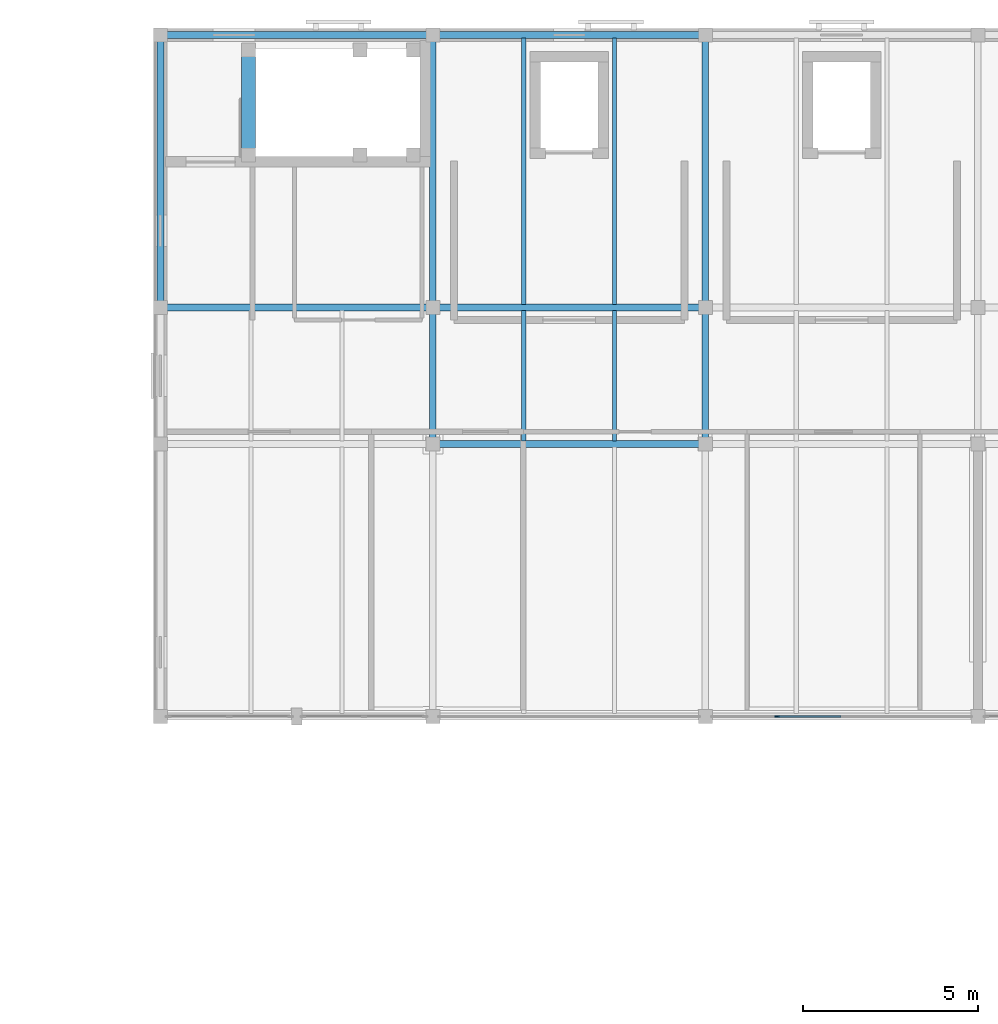
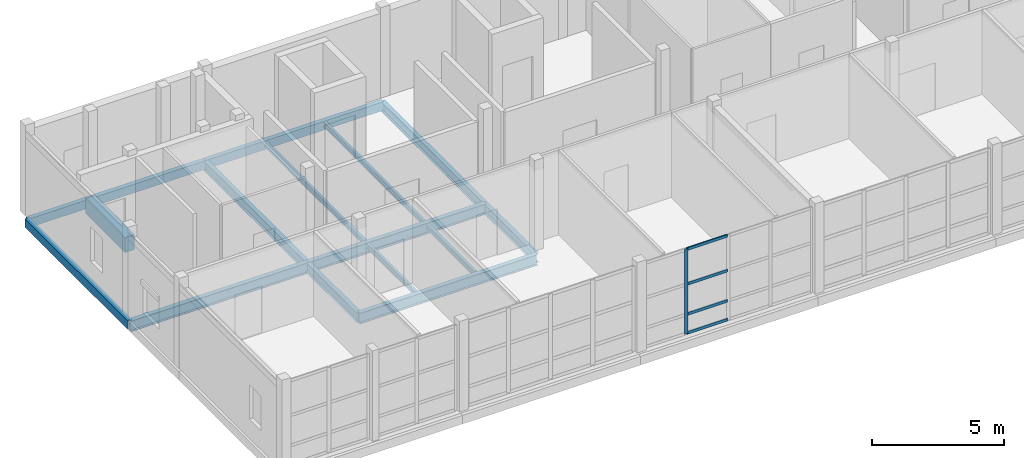
# One storey, part 6 of 21: 15 beams, 5 members, 1 element without a shape of its own.
"""IFC4 building model written with IfcOpenShell, lengths in metres."""

from ifc_helpers import new_model, si_unit, direction, frame, origin, origin_2d, place, context, subcontext, project, spatial, rectangle, hollow_rectangle, i_section, extrude, material, layer, layer_set, material_profile, profile_set, type_object, element, aggregate, save


model = new_model("IFC4")

# Units and contexts
model_context = context("Model", 3, precision=1e-05, world=origin(), true_north=direction((0.0, 1.0)))
body_context = subcontext(model_context, "Body", "Model", "MODEL_VIEW")
ifc_project = project(units=[si_unit("LENGTHUNIT", "METRE"), si_unit("AREAUNIT", "SQUARE_METRE"), si_unit("VOLUMEUNIT", "CUBIC_METRE"), si_unit("PLANEANGLEUNIT", "RADIAN"), si_unit("MASSUNIT", "GRAM", prefix="KILO")], contexts=[model_context])

# Site, building, storey
site_placement = place(None, origin())
site = spatial("IfcSite", under=ifc_project, at=site_placement, CompositionType="ELEMENT")
building_placement = place(site_placement, origin())
building = spatial("IfcBuilding", under=site, at=building_placement, Name="Celorna Specialist Clinic", CompositionType="ELEMENT")
storey_placement = place(building_placement, frame((0.0, 0.0, 23.10009765625)))
storey = spatial("IfcBuildingStorey", under=building, at=storey_placement, Name="L05", CompositionType="ELEMENT", Elevation=23.10009765625)

# Beams
ifc_material_1 = material(Name="Steel S355", Category="steel")
ifc_material_profile_1 = material_profile(ifc_material_1, i_section(OverallWidth=0.199951171875, OverallDepth=0.5, WebThickness=0.01025390625, FlangeThickness=0.01611328125, at=origin_2d()), Name="IPE 500")
ifc_profile_set_1 = profile_set([ifc_material_profile_1], Name="Steel S355")
beam_type_1 = type_object("IfcBeamType", Name="BM-08", PredefinedType="BEAM", material=ifc_profile_set_1)
beam_1_placement = place(storey_placement, frame((54.60009765625, 104.300048828125, -0.530029296875), z_axis=(1.0, 0.0, 0.0), x_axis=(0.0, 1.0, 0.0)))
element("IfcBeam", 1, at=beam_1_placement, inside=storey, type_object=beam_type_1, Name="Primary girder BM-08 #1423", PredefinedType="BEAM", context=body_context, shape_type="SweptSolid", body=[
    extrude(i_section(OverallWidth=0.199951171875, OverallDepth=0.5, WebThickness=0.01025390625, FlangeThickness=0.01611328125, at=origin_2d()), origin(), (0.0, 0.0, 1.0), 7.7998046875),
])
beam_2_placement = place(storey_placement, frame((46.800048828125, 108.199951171875, -0.530029296875), z_axis=(1.0, 0.0, 0.0), x_axis=(0.0, 1.0, 0.0)))
element("IfcBeam", 2, at=beam_2_placement, inside=storey, type_object=beam_type_1, Name="Primary girder BM-08 #1428", PredefinedType="BEAM", context=body_context, shape_type="SweptSolid", body=[
    extrude(i_section(OverallWidth=0.199951171875, OverallDepth=0.5, WebThickness=0.01025390625, FlangeThickness=0.01611328125, at=origin_2d()), origin(), (0.0, 0.0, 1.0), 7.800048828125),
])
beam_3_placement = place(storey_placement, frame((54.60009765625, 108.199951171875, -0.530029296875), z_axis=(1.0, 0.0, 0.0), x_axis=(0.0, 1.0, 0.0)))
element("IfcBeam", 3, at=beam_3_placement, inside=storey, type_object=beam_type_1, Name="Primary girder BM-08 #1429", PredefinedType="BEAM", context=body_context, shape_type="SweptSolid", body=[
    extrude(i_section(OverallWidth=0.199951171875, OverallDepth=0.5, WebThickness=0.01025390625, FlangeThickness=0.01611328125, at=origin_2d()), origin(), (0.0, 0.0, 1.0), 7.7998046875),
])
ifc_material_profile_2 = material_profile(ifc_material_1, i_section(OverallWidth=0.18994140625, OverallDepth=0.449951171875, WebThickness=0.009521484375, FlangeThickness=0.0146484375, at=origin_2d()), Name="IPE 450")
ifc_profile_set_2 = profile_set([ifc_material_profile_2], Name="Steel S355")
beam_type_2 = type_object("IfcBeamType", Name="BM-09", PredefinedType="BEAM", material=ifc_profile_set_2)
beam_4_placement = place(storey_placement, frame((54.60009765625, 104.300048828125, -0.505126953125), z_axis=(0.0, 1.0, 0.0), x_axis=(-1.0, 0.0, 0.0)))
element("IfcBeam", 4, at=beam_4_placement, inside=storey, type_object=beam_type_2, Name="Transverse girder BM-09 #1444", PredefinedType="BEAM", context=body_context, shape_type="SweptSolid", body=[
    extrude(i_section(OverallWidth=0.18994140625, OverallDepth=0.449951171875, WebThickness=0.009521484375, FlangeThickness=0.0146484375, at=origin_2d()), origin(), (0.0, 0.0, 1.0), 3.89990234375),
])
beam_5_placement = place(storey_placement, frame((54.60009765625, 108.199951171875, -0.505126953125), z_axis=(0.0, 1.0, 0.0), x_axis=(-1.0, 0.0, 0.0)))
element("IfcBeam", 5, at=beam_5_placement, inside=storey, type_object=beam_type_2, Name="Transverse girder BM-09 #1445", PredefinedType="BEAM", context=body_context, shape_type="SweptSolid", body=[
    extrude(i_section(OverallWidth=0.18994140625, OverallDepth=0.449951171875, WebThickness=0.009521484375, FlangeThickness=0.0146484375, at=origin_2d()), origin(), (0.0, 0.0, 1.0), 7.800048828125),
])
beam_6_placement = place(storey_placement, frame((62.39990234375, 104.300048828125, -0.505126953125), z_axis=(0.0, 1.0, 0.0), x_axis=(-1.0, 0.0, 0.0)))
element("IfcBeam", 6, at=beam_6_placement, inside=storey, type_object=beam_type_2, Name="Transverse girder BM-09 #1447", PredefinedType="BEAM", context=body_context, shape_type="SweptSolid", body=[
    extrude(i_section(OverallWidth=0.18994140625, OverallDepth=0.449951171875, WebThickness=0.009521484375, FlangeThickness=0.0146484375, at=origin_2d()), origin(), (0.0, 0.0, 1.0), 3.89990234375),
])
beam_7_placement = place(storey_placement, frame((62.39990234375, 108.199951171875, -0.505126953125), z_axis=(0.0, 1.0, 0.0), x_axis=(-1.0, 0.0, 0.0)))
element("IfcBeam", 7, at=beam_7_placement, inside=storey, type_object=beam_type_2, Name="Transverse girder BM-09 #1448", PredefinedType="BEAM", context=body_context, shape_type="SweptSolid", body=[
    extrude(i_section(OverallWidth=0.18994140625, OverallDepth=0.449951171875, WebThickness=0.009521484375, FlangeThickness=0.0146484375, at=origin_2d()), origin(), (0.0, 0.0, 1.0), 7.800048828125),
])
ifc_material_profile_3 = material_profile(ifc_material_1, hollow_rectangle(XDim=0.199951171875, YDim=0.39990234375, WallThickness=0.011962890625, at=origin_2d()), Name="RHS 200x400x12")
ifc_profile_set_3 = profile_set([ifc_material_profile_3], Name="Steel S355")
beam_type_3 = type_object("IfcBeamType", Name="BM-15", PredefinedType="SPANDREL", material=ifc_profile_set_3)
beam_8_placement = place(storey_placement, frame((46.800048828125, 116.0, -0.47998046875), z_axis=(1.0, 0.0, 0.0), x_axis=(0.0, 1.0, 0.0)))
element("IfcBeam", 8, at=beam_8_placement, inside=storey, type_object=beam_type_3, Name="Spandrel beam BM-15 #1434", PredefinedType="SPANDREL", context=body_context, shape_type="SweptSolid", body=[
    extrude(hollow_rectangle(XDim=0.199951171875, YDim=0.39990234375, WallThickness=0.011962890625, at=origin_2d()), origin(), (0.0, 0.0, 1.0), 7.800048828125),
])
beam_9_placement = place(storey_placement, frame((54.60009765625, 116.0, -0.47998046875), z_axis=(1.0, 0.0, 0.0), x_axis=(0.0, 1.0, 0.0)))
element("IfcBeam", 9, at=beam_9_placement, inside=storey, type_object=beam_type_3, Name="Spandrel beam BM-15 #1435", PredefinedType="SPANDREL", context=body_context, shape_type="SweptSolid", body=[
    extrude(hollow_rectangle(XDim=0.199951171875, YDim=0.39990234375, WallThickness=0.011962890625, at=origin_2d()), origin(), (0.0, 0.0, 1.0), 7.7998046875),
])
beam_10_placement = place(storey_placement, frame((46.800048828125, 108.199951171875, -0.47998046875), z_axis=(0.0, 1.0, 0.0), x_axis=(-1.0, 0.0, 0.0)))
element("IfcBeam", 10, at=beam_10_placement, inside=storey, type_object=beam_type_3, Name="Spandrel beam BM-15 #1442", PredefinedType="SPANDREL", context=body_context, shape_type="SweptSolid", body=[
    extrude(hollow_rectangle(XDim=0.199951171875, YDim=0.39990234375, WallThickness=0.011962890625, at=origin_2d()), origin(), (0.0, 0.0, 1.0), 7.800048828125),
])
ifc_material_2 = material(Name="Concrete C35/45", Category="concrete")
ifc_material_profile_4 = material_profile(ifc_material_2, rectangle(XDim=0.39990234375, YDim=0.699951171875, at=origin_2d()), Name="RC 400x700")
ifc_profile_set_4 = profile_set([ifc_material_profile_4], Name="Concrete C35/45")
beam_type_4 = type_object("IfcBeamType", Name="BM-19", PredefinedType="BEAM", material=ifc_profile_set_4)
beam_11_placement = place(storey_placement, frame((49.320068359375, 112.570068359375, -0.275146484375), z_axis=(0.0, 1.0, 0.0), x_axis=(-1.0, 0.0, 0.0)))
element("IfcBeam", 11, at=beam_11_placement, inside=storey, type_object=beam_type_4, Name="Stair ST-01 floor landing trimmer beam L05", PredefinedType="BEAM", context=body_context, shape_type="SweptSolid", body=[
    extrude(rectangle(XDim=0.39990234375, YDim=0.699951171875, at=origin_2d()), origin(), (0.0, 0.0, 1.0), 3.0),
])
ifc_material_profile_5 = material_profile(ifc_material_1, i_section(OverallWidth=0.1201171875, OverallDepth=0.239990234375, WebThickness=0.006103515625, FlangeThickness=0.009765625, at=origin_2d()), Name="IPE 240")
ifc_profile_set_5 = profile_set([ifc_material_profile_5], Name="Steel S355")
beam_type_5 = type_object("IfcBeamType", Name="BM-23", PredefinedType="JOIST", material=ifc_profile_set_5)
for number, where, z_axis, x_axis, name in (
    (12, (57.199951171875, 104.387939453125, -0.400146484375), (0.0, 1.0, 0.0), (-1.0, 0.0, 0.0), "Secondary floor joist BM-23 #1467"),
    (13, (59.800048828125, 104.387939453125, -0.400146484375), (0.0, 1.0, 0.0), (-1.0, 0.0, 0.0), "Secondary floor joist BM-23 #1468"),
):
    element("IfcBeam", number, at=place(storey_placement, frame(where, z_axis=z_axis, x_axis=x_axis)), inside=storey, type_object=beam_type_5, Name=name, PredefinedType="JOIST", context=body_context, shape_type="SweptSolid", body=[
        extrude(i_section(OverallWidth=0.1201171875, OverallDepth=0.239990234375, WebThickness=0.006103515625, FlangeThickness=0.009765625, at=origin_2d()), origin(), (0.0, 0.0, 1.0), 3.72412109375),
    ])
for number, where, z_axis, x_axis, name in (
    (14, (57.199951171875, 108.2880859375, -0.400146484375), (0.0, 1.0, 0.0), (-1.0, 0.0, 0.0), "Secondary floor joist BM-23 #1469"),
    (15, (59.800048828125, 108.2880859375, -0.400146484375), (0.0, 1.0, 0.0), (-1.0, 0.0, 0.0), "Secondary floor joist BM-23 #1470"),
):
    element("IfcBeam", number, at=place(storey_placement, frame(where, z_axis=z_axis, x_axis=x_axis)), inside=storey, type_object=beam_type_5, Name=name, PredefinedType="JOIST", context=body_context, shape_type="SweptSolid", body=[
        extrude(i_section(OverallWidth=0.1201171875, OverallDepth=0.239990234375, WebThickness=0.006103515625, FlangeThickness=0.009765625, at=origin_2d()), origin(), (0.0, 0.0, 1.0), 7.6240234375),
    ])

# Curtain wall, members
ifc_material_3 = material(Name="Thermally broken aluminium and solar-control glass curtain wall", Category="aluminium")
ifc_layer = layer(ifc_material_3, 0.159912109375, Name="Thermally broken aluminium and solar-control glass curtain wall")
ifc_layer_set = layer_set([ifc_layer], Name="Thermally broken aluminium and solar-control glass curtain wall")
curtain_wall_type = type_object("IfcCurtainWallType", Name="CW-79", PredefinedType="NOTDEFINED", material=ifc_layer_set)
curtain_wall_placement = place(storey_placement, origin())
curtain_wall = element("IfcCurtainWall", 16, at=curtain_wall_placement, inside=storey, type_object=curtain_wall_type, Name="Curtain wall CW-79 #148", PredefinedType="NOTDEFINED")
ifc_material_4 = material(Name="Anodized aluminium mullion", Category="aluminium")
ifc_material_profile_6 = material_profile(ifc_material_4, rectangle(XDim=0.050048828125, YDim=0.139892578125, at=origin_2d()), Name="ALU MULLION 50x140")
ifc_profile_set_6 = profile_set([ifc_material_profile_6], Name="Anodized aluminium mullion")
member_type_1 = type_object("IfcMemberType", Name="ML-03", PredefinedType="MULLION", material=ifc_profile_set_6)
member_1_placement = place(storey_placement, frame((64.451904296875, 96.5, 0.0), z_axis=(0.0, 0.0, 1.0), x_axis=(0.0, -1.0, 0.0)))
member_1 = element("IfcMember", 17, at=member_1_placement, type_object=member_type_1, Name="CW-79 mullion 4", PredefinedType="MULLION", context=body_context, shape_type="SweptSolid", body=[
    extrude(rectangle(XDim=0.050048828125, YDim=0.139892578125, at=origin_2d()), origin(), (0.0, 0.0, 1.0), 3.93994140625),
])
ifc_material_5 = material(Name="Anodized aluminium transom", Category="aluminium")
ifc_material_profile_7 = material_profile(ifc_material_5, rectangle(XDim=0.050048828125, YDim=0.1298828125, at=origin_2d()), Name="ALU TRANSOM 50x130")
ifc_profile_set_7 = profile_set([ifc_material_profile_7], Name="Anodized aluminium transom")
member_type_2 = type_object("IfcMemberType", Name="TR-01", PredefinedType="USERDEFINED", material=ifc_profile_set_7)
member_2_placement = place(storey_placement, frame((66.27490234375, 96.5, 0.02490234375), z_axis=(-1.0, 0.0, 0.0), x_axis=(0.0, -1.0, 0.0)))
member_2 = element("IfcMember", 18, at=member_2_placement, type_object=member_type_2, Name="CW-79 transom 3.1", ObjectType="TRANSOM", PredefinedType="USERDEFINED", context=body_context, shape_type="SweptSolid", body=[
    extrude(rectangle(XDim=0.050048828125, YDim=0.1298828125, at=origin_2d()), origin(), (0.0, 0.0, 1.0), 1.7978515625),
])
member_3_placement = place(storey_placement, frame((66.27490234375, 96.5, 0.89990234375), z_axis=(-1.0, 0.0, 0.0), x_axis=(0.0, -1.0, 0.0)))
member_3 = element("IfcMember", 19, at=member_3_placement, type_object=member_type_2, Name="CW-79 transom 3.2", ObjectType="TRANSOM", PredefinedType="USERDEFINED", context=body_context, shape_type="SweptSolid", body=[
    extrude(rectangle(XDim=0.050048828125, YDim=0.1298828125, at=origin_2d()), origin(), (0.0, 0.0, 1.0), 1.7978515625),
])
member_4_placement = place(storey_placement, frame((66.27490234375, 96.5, 2.2998046875), z_axis=(-1.0, 0.0, 0.0), x_axis=(0.0, -1.0, 0.0)))
member_4 = element("IfcMember", 20, at=member_4_placement, type_object=member_type_2, Name="CW-79 transom 3.3", ObjectType="TRANSOM", PredefinedType="USERDEFINED", context=body_context, shape_type="SweptSolid", body=[
    extrude(rectangle(XDim=0.050048828125, YDim=0.1298828125, at=origin_2d()), origin(), (0.0, 0.0, 1.0), 1.7978515625),
])
member_5_placement = place(storey_placement, frame((66.27490234375, 96.5, 3.914794921875), z_axis=(-1.0, 0.0, 0.0), x_axis=(0.0, -1.0, 0.0)))
member_5 = element("IfcMember", 21, at=member_5_placement, type_object=member_type_2, Name="CW-79 transom 3.4", ObjectType="TRANSOM", PredefinedType="USERDEFINED", context=body_context, shape_type="SweptSolid", body=[
    extrude(rectangle(XDim=0.050048828125, YDim=0.1298828125, at=origin_2d()), origin(), (0.0, 0.0, 1.0), 1.7978515625),
])
aggregate(curtain_wall, [member_1, member_2, member_3, member_4, member_5])

save(model, "model.ifc")
